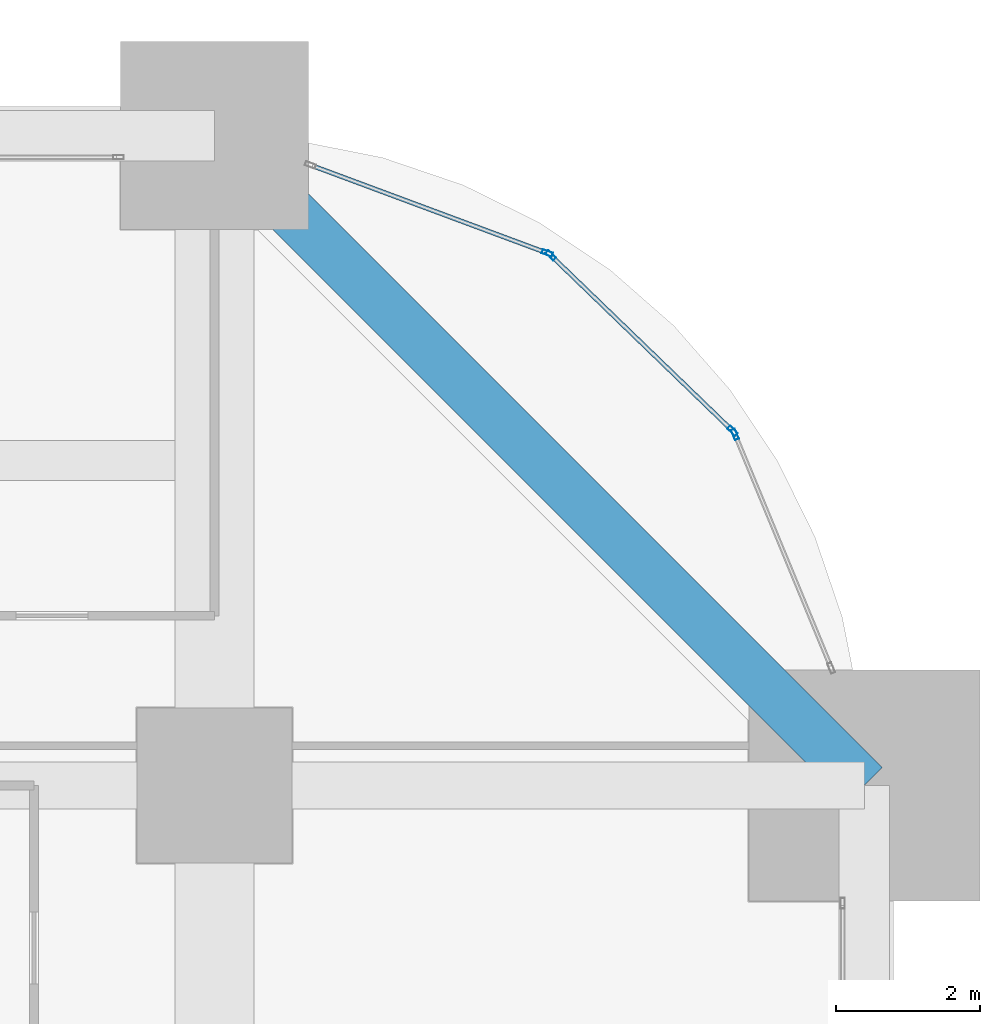
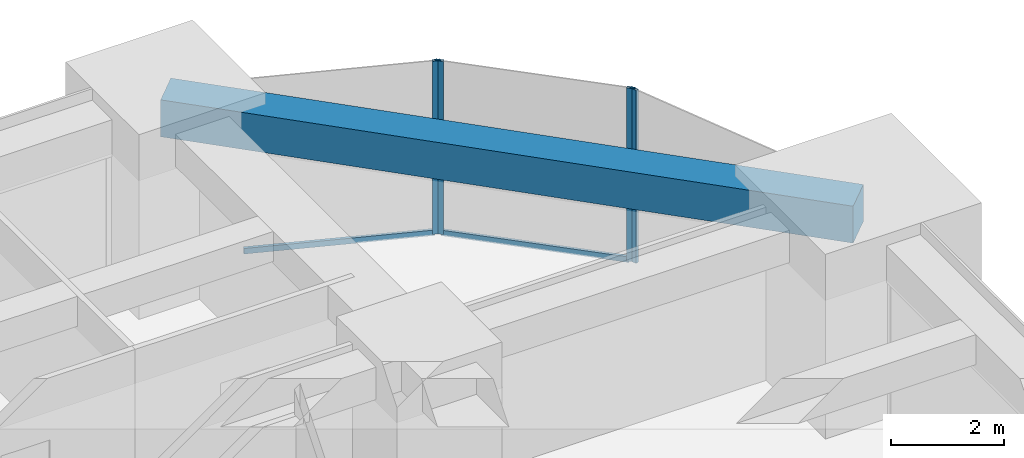
# One storey, part 35 of 41: 6 members, 1 beam, 3 elements without a shape of their own.
"""IFC4 building model written with IfcOpenShell, lengths in metres."""

from ifc_helpers import new_model, si_unit, direction, frame, origin, origin_2d, place, context, subcontext, project, spatial, rectangle, hollow_rectangle, extrude, material, material_profile, profile_set, type_object, element, aggregate, save


model = new_model("IFC4")

# Units and contexts
model_context = context("Model", 3, precision=1e-05, world=origin(), true_north=direction((0.0, 1.0)))
body_context = subcontext(model_context, "Body", "Model", "MODEL_VIEW")
ifc_project = project(units=[si_unit("LENGTHUNIT", "METRE"), si_unit("AREAUNIT", "SQUARE_METRE"), si_unit("VOLUMEUNIT", "CUBIC_METRE"), si_unit("PLANEANGLEUNIT", "RADIAN"), si_unit("MASSUNIT", "GRAM", prefix="KILO")], contexts=[model_context])

# Site, building, storey
site_placement = place(None, origin())
site = spatial("IfcSite", under=ifc_project, at=site_placement, CompositionType="ELEMENT")
building_placement = place(site_placement, origin())
building = spatial("IfcBuilding", under=site, at=building_placement, Name="Zorevar Civic Tower", CompositionType="ELEMENT")
storey_placement = place(building_placement, frame((0.0, 0.0, 89.0)))
storey = spatial("IfcBuildingStorey", under=building, at=storey_placement, Name="L21", CompositionType="ELEMENT", Elevation=89.0)

# Curtain wall, member
ifc_material_1 = material(Name="Dark grey solar-control glass in black aluminium frame", Category="aluminium")
curtain_wall_type = type_object("IfcCurtainWallType", Name="Curtain wall CW3 mid zone", PredefinedType="NOTDEFINED", material=ifc_material_1)
curtain_wall_1_placement = place(storey_placement, origin())
curtain_wall_1 = element("IfcCurtainWall", 1, at=curtain_wall_1_placement, inside=storey, type_object=curtain_wall_type, Name="CW3 L21", PredefinedType="NOTDEFINED")
ifc_material_2 = material(Name="Aluminium, black anodised", Category="aluminium")
ifc_material_profile_1 = material_profile(ifc_material_2, hollow_rectangle(XDim=0.06005859375, YDim=0.14990234375, WallThickness=0.00390625, at=origin_2d()), Name="AL 150x60x4")
ifc_profile_set_1 = profile_set([ifc_material_profile_1], Name="Aluminium, black anodised")
member_type_1 = type_object("IfcMemberType", Name="CW3 mullion AL 150x60x4", PredefinedType="MULLION", material=ifc_profile_set_1)
member_1_placement = place(storey_placement, frame((61.20703125, 40.8623046875, 0.0), z_axis=(0.0, 0.0, 1.0), x_axis=(-0.924549780803, -0.381061284858, 0.0)))
member_1 = element("IfcMember", 2, at=member_1_placement, type_object=member_type_1, Name="CW3 mullion 2", PredefinedType="MULLION", context=body_context, shape_type="SweptSolid", body=[
    extrude(hollow_rectangle(XDim=0.06005859375, YDim=0.14990234375, WallThickness=0.00390625, at=origin_2d()), origin(), (0.0, 0.0, 1.0), 3.75),
])
aggregate(curtain_wall_1, [member_1])

# Curtain wall, members
curtain_wall_2_placement = place(storey_placement, origin())
curtain_wall_2 = element("IfcCurtainWall", 3, at=curtain_wall_2_placement, inside=storey, type_object=curtain_wall_type, Name="CW3 L21", PredefinedType="NOTDEFINED")
member_2_placement = place(storey_placement, frame((61.173828125, 40.910888671875, 0.0), z_axis=(0.0, 0.0, 1.0), x_axis=(-0.69463423557, -0.719363106348, 0.0)))
member_2 = element("IfcMember", 4, at=member_2_placement, type_object=member_type_1, Name="CW3 mullion 1", PredefinedType="MULLION", context=body_context, shape_type="SweptSolid", body=[
    extrude(hollow_rectangle(XDim=0.06005859375, YDim=0.14990234375, WallThickness=0.00390625, at=origin_2d()), origin(), (0.0, 0.0, 1.0), 3.75),
])
member_3_placement = place(storey_placement, frame((58.6572265625, 43.34130859375, 0.0), z_axis=(0.0, 0.0, 1.0), x_axis=(-0.69463423557, -0.719363106348, 0.0)))
member_3 = element("IfcMember", 5, at=member_3_placement, type_object=member_type_1, Name="CW3 mullion 2", PredefinedType="MULLION", context=body_context, shape_type="SweptSolid", body=[
    extrude(hollow_rectangle(XDim=0.06005859375, YDim=0.14990234375, WallThickness=0.00390625, at=origin_2d()), origin(), (0.0, 0.0, 1.0), 3.75),
])

# Curtain wall, member
curtain_wall_3_placement = place(storey_placement, origin())
curtain_wall_3 = element("IfcCurtainWall", 6, at=curtain_wall_3_placement, inside=storey, type_object=curtain_wall_type, Name="CW3 L21", PredefinedType="NOTDEFINED")
member_4_placement = place(storey_placement, frame((58.607421875, 43.37255859375, 0.0), z_axis=(0.0, 0.0, 1.0), x_axis=(-0.348499699061, -0.937308892391, 0.0)))
member_4 = element("IfcMember", 7, at=member_4_placement, type_object=member_type_1, Name="CW3 mullion 1", PredefinedType="MULLION", context=body_context, shape_type="SweptSolid", body=[
    extrude(hollow_rectangle(XDim=0.06005859375, YDim=0.14990234375, WallThickness=0.00390625, at=origin_2d()), origin(), (0.0, 0.0, 1.0), 3.75),
])

# Member
ifc_material_3 = material(Name="Aluminium, black anodised", Category="aluminium")
ifc_material_profile_2 = material_profile(ifc_material_3, hollow_rectangle(XDim=0.06005859375, YDim=0.1201171875, WallThickness=0.0029296875, at=origin_2d()), Name="AL 120x60x3")
ifc_profile_set_2 = profile_set([ifc_material_profile_2], Name="Aluminium, black anodised")
member_type_2 = type_object("IfcMemberType", Name="CW3 transom AL 120x60x3", PredefinedType="USERDEFINED", material=ifc_profile_set_2)
member_5_placement = place(storey_placement, frame((61.15234375, 40.931884765625, 0.030029296875), z_axis=(-0.719388002952, 0.694608451725, 0.0), x_axis=(-0.694608451725, -0.719388002952, 0.0)))
member_5 = element("IfcMember", 8, at=member_5_placement, type_object=member_type_2, Name="CW3 sill transom", ObjectType="TRANSOM", PredefinedType="USERDEFINED", context=body_context, shape_type="SweptSolid", body=[
    extrude(hollow_rectangle(XDim=0.06005859375, YDim=0.1201171875, WallThickness=0.0029296875, at=origin_2d()), origin(), (0.0, 0.0, 1.0), 3.4384765625),
])

aggregate(curtain_wall_2, [member_2, member_3, member_5])

member_6_placement = place(storey_placement, frame((58.579345703125, 43.383056640625, 0.030029296875), z_axis=(-0.93732326685, 0.348461035729, 0.0), x_axis=(-0.348461035729, -0.93732326685, 0.0)))
member_6 = element("IfcMember", 9, at=member_6_placement, type_object=member_type_2, Name="CW3 sill transom", ObjectType="TRANSOM", PredefinedType="USERDEFINED", context=body_context, shape_type="SweptSolid", body=[
    extrude(hollow_rectangle(XDim=0.06005859375, YDim=0.1201171875, WallThickness=0.0029296875, at=origin_2d()), origin(), (0.0, 0.0, 1.0), 3.438720703125),
])

aggregate(curtain_wall_3, [member_4, member_6])

# Beam
ifc_material_4 = material(Name="Concrete C50/60", Category="concrete")
ifc_material_profile_3 = material_profile(ifc_material_4, rectangle(XDim=0.699951171875, YDim=0.800048828125, at=origin_2d()), Name="RC 700x800")
ifc_profile_set_3 = profile_set([ifc_material_profile_3], Name="Concrete C50/60")
beam_type = type_object("IfcBeamType", Name="Edge beam RC 700x800", PredefinedType="SPANDREL", material=ifc_profile_set_3)
beam_placement = place(storey_placement, frame((63.0, 36.0, 3.35009765625), z_axis=(-0.707106781187, 0.707106781187, 0.0), x_axis=(-0.707106781187, -0.707106781187, 0.0)))
element("IfcBeam", 10, at=beam_placement, inside=storey, type_object=beam_type, Name="Corner edge beam L22", PredefinedType="SPANDREL", context=body_context, shape_type="SweptSolid", body=[
    extrude(rectangle(XDim=0.699951171875, YDim=0.800048828125, at=origin_2d()), origin(), (0.0, 0.0, 1.0), 12.72802734375),
])

save(model, "model.ifc")
